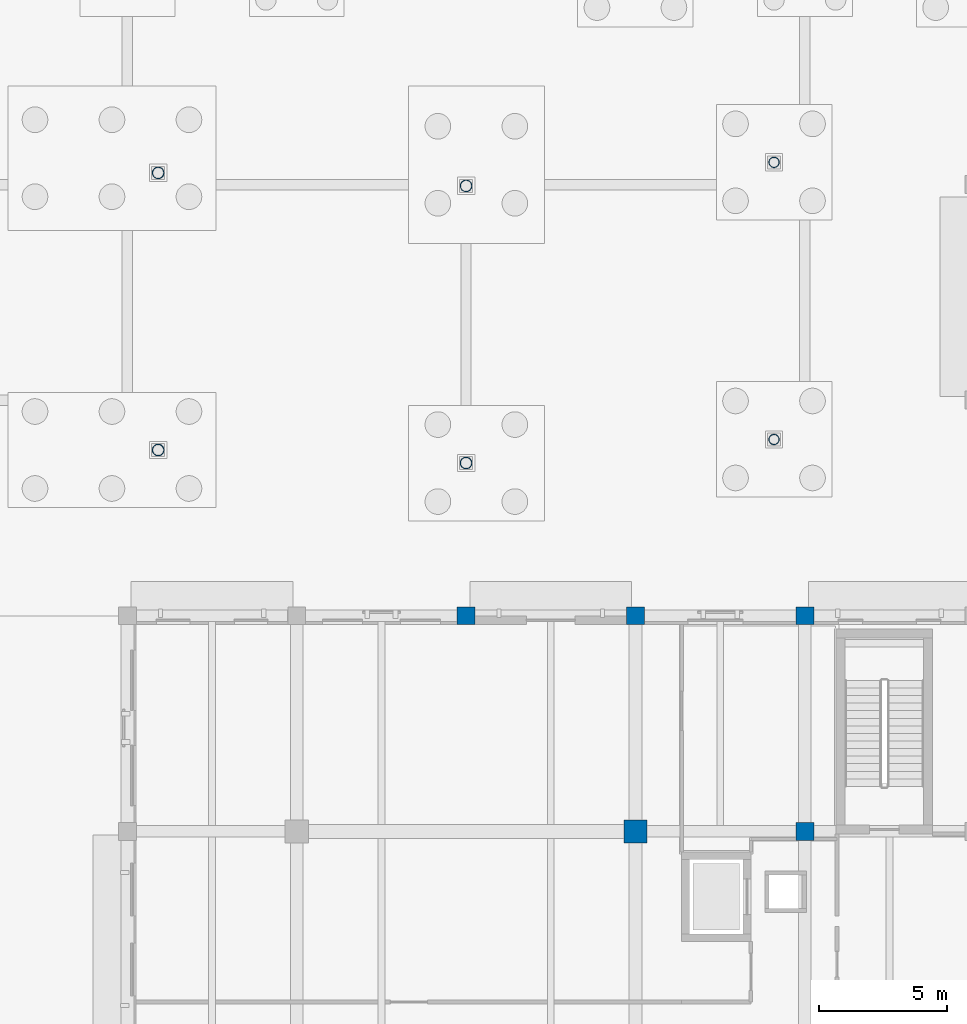
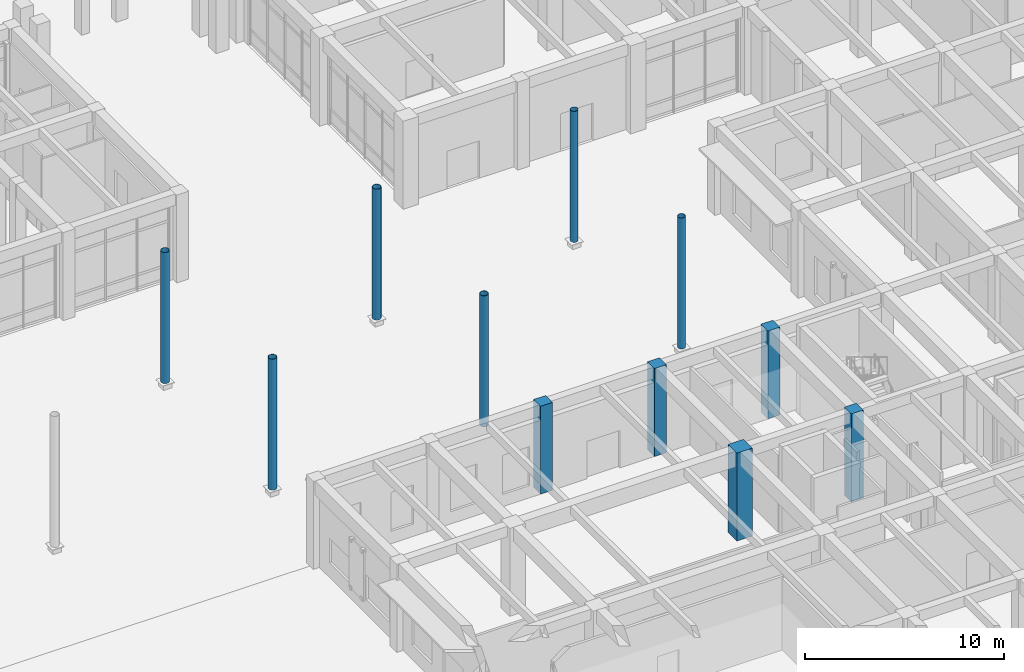
# One storey, part 14 of 82: 11 columns.
"""IFC4 building model written with IfcOpenShell, lengths in metres."""

from ifc_helpers import new_model, si_unit, direction, frame, origin, origin_2d, place, context, subcontext, project, spatial, rectangle, hollow_circle, extrude, material, material_profile, profile_set, type_object, element, save


model = new_model("IFC4")

# Units and contexts
model_context = context("Model", 3, precision=1e-05, world=origin(), true_north=direction((0.0, 1.0)))
body_context = subcontext(model_context, "Body", "Model", "MODEL_VIEW")
ifc_project = project(units=[si_unit("LENGTHUNIT", "METRE"), si_unit("AREAUNIT", "SQUARE_METRE"), si_unit("VOLUMEUNIT", "CUBIC_METRE"), si_unit("PLANEANGLEUNIT", "RADIAN"), si_unit("MASSUNIT", "GRAM", prefix="KILO")], contexts=[model_context])

# Site, building, storey
site_placement = place(None, origin())
site = spatial("IfcSite", under=ifc_project, at=site_placement, CompositionType="ELEMENT")
building_placement = place(site_placement, origin())
building = spatial("IfcBuilding", under=site, at=building_placement, Name="Kolvaren Faculty of Natural Sciences", CompositionType="ELEMENT")
storey_placement = place(building_placement, origin())
storey = spatial("IfcBuildingStorey", under=building, at=storey_placement, Name="L00", CompositionType="ELEMENT", Elevation=0.0)

# Columns
ifc_material_1 = material(Name="Concrete C40/50", Category="concrete")
ifc_material_profile_1 = material_profile(ifc_material_1, rectangle(XDim=0.89990234375, YDim=0.89990234375, at=origin_2d()), Name="RC COL 900x900")
ifc_profile_set_1 = profile_set([ifc_material_profile_1], Name="Concrete C40/50")
column_type_1 = type_object("IfcColumnType", Name="MegaColumn_900x900", PredefinedType="COLUMN", material=ifc_profile_set_1)
column_placement = place(storey_placement, frame((119.0, 33.800048828125, 0.0), z_axis=(0.0, 0.0, 1.0), x_axis=(1.0, 0.0, 0.0)))
element("IfcColumn", 1, at=column_placement, inside=storey, type_object=column_type_1, Name="L00 column MC-1 at 19/E", PredefinedType="COLUMN", context=body_context, shape_type="SweptSolid", body=[
    extrude(rectangle(XDim=0.89990234375, YDim=0.89990234375, at=origin_2d()), origin(), (0.0, 0.0, 1.0), 5.39990234375),
])
ifc_material_2 = material(Name="Structural steel EN 10210-1 S355J2H (white architectural finish)", Category="steel")
ifc_material_profile_2 = material_profile(ifc_material_2, hollow_circle(Radius=0.203125, WallThickness=0.01416015625, at=origin_2d()), Name="CHS 406.4x14.2")
ifc_profile_set_2 = profile_set([ifc_material_profile_2], Name="Structural steel EN 10210-1 S355J2H (white architectural finish)")
column_type_2 = type_object("IfcColumnType", Name="PortalTreeTrunk_CHS406", PredefinedType="COLUMN", material=ifc_profile_set_2)
for number, where, z_axis, x_axis, name in (
    (2, (124.39990234375, 49.069580078125, 0.35009765625), (0.0, 0.0, 1.0), (1.0, 0.0, 0.0), "Covered street white steel tree trunk TREE-13"),
    (3, (124.39990234375, 59.86962890625, 0.35009765625), (0.0, 0.0, 1.0), (1.0, 0.0, 0.0), "Covered street white steel tree trunk TREE-14"),
):
    element("IfcColumn", number, at=place(storey_placement, frame(where, z_axis=z_axis, x_axis=x_axis)), inside=storey, type_object=column_type_2, Name=name, PredefinedType="COLUMN", context=body_context, shape_type="SweptSolid", body=[
        extrude(hollow_circle(Radius=0.203125, WallThickness=0.01416015625, at=origin_2d()), origin(), (0.0, 0.0, 1.0), 8.0498046875),
    ])
ifc_material_profile_3 = material_profile(ifc_material_2, hollow_circle(Radius=0.228515625, WallThickness=0.01611328125, at=origin_2d()), Name="CHS 457x16")
ifc_profile_set_3 = profile_set([ifc_material_profile_3], Name="Structural steel EN 10210-1 S355J2H (white architectural finish)")
column_type_3 = type_object("IfcColumnType", Name="SteelTreeTrunk_CHS457", PredefinedType="COLUMN", material=ifc_profile_set_3)
for number, where, z_axis, x_axis, name in (
    (4, (100.39990234375, 48.6591796875, 0.35009765625), (0.0, 0.0, 1.0), (1.0, 0.0, 0.0), "Covered street white steel tree trunk TREE-09"),
    (5, (100.39990234375, 59.458984375, 0.35009765625), (0.0, 0.0, 1.0), (1.0, 0.0, 0.0), "Covered street white steel tree trunk TREE-10"),
    (6, (112.39990234375, 48.152587890625, 0.35009765625), (0.0, 0.0, 1.0), (1.0, 0.0, 0.0), "Covered street white steel tree trunk TREE-11"),
    (7, (112.39990234375, 58.95263671875, 0.35009765625), (0.0, 0.0, 1.0), (1.0, 0.0, 0.0), "Covered street white steel tree trunk TREE-12"),
):
    element("IfcColumn", number, at=place(storey_placement, frame(where, z_axis=z_axis, x_axis=x_axis)), inside=storey, type_object=column_type_3, Name=name, PredefinedType="COLUMN", context=body_context, shape_type="SweptSolid", body=[
        extrude(hollow_circle(Radius=0.228515625, WallThickness=0.01611328125, at=origin_2d()), origin(), (0.0, 0.0, 1.0), 8.0498046875),
    ])
ifc_material_profile_4 = material_profile(ifc_material_1, rectangle(XDim=0.699951171875, YDim=0.699951171875, at=origin_2d()), Name="RC COL 700x700")
ifc_profile_set_4 = profile_set([ifc_material_profile_4], Name="Concrete C40/50")
column_type_4 = type_object("IfcColumnType", Name="WingColumn_700x700", PredefinedType="COLUMN", material=ifc_profile_set_4)
for number, where, z_axis, x_axis, name in (
    (8, (112.39990234375, 42.199951171875, 0.0), (0.0, 0.0, 1.0), (1.0, 0.0, 0.0), "L00 column WC-70 at 18/F"),
    (9, (119.0, 42.199951171875, 0.0), (0.0, 0.0, 1.0), (1.0, 0.0, 0.0), "L00 column WC-70 at 19/F"),
    (10, (125.60009765625, 33.800048828125, 0.0), (0.0, 0.0, 1.0), (1.0, 0.0, 0.0), "L00 column WC-70 at 20/E"),
    (11, (125.60009765625, 42.199951171875, 0.0), (0.0, 0.0, 1.0), (1.0, 0.0, 0.0), "L00 column WC-70 at 20/F"),
):
    element("IfcColumn", number, at=place(storey_placement, frame(where, z_axis=z_axis, x_axis=x_axis)), inside=storey, type_object=column_type_4, Name=name, PredefinedType="COLUMN", context=body_context, shape_type="SweptSolid", body=[
        extrude(rectangle(XDim=0.699951171875, YDim=0.699951171875, at=origin_2d()), origin(), (0.0, 0.0, 1.0), 5.39990234375),
    ])

save(model, "model.ifc")
